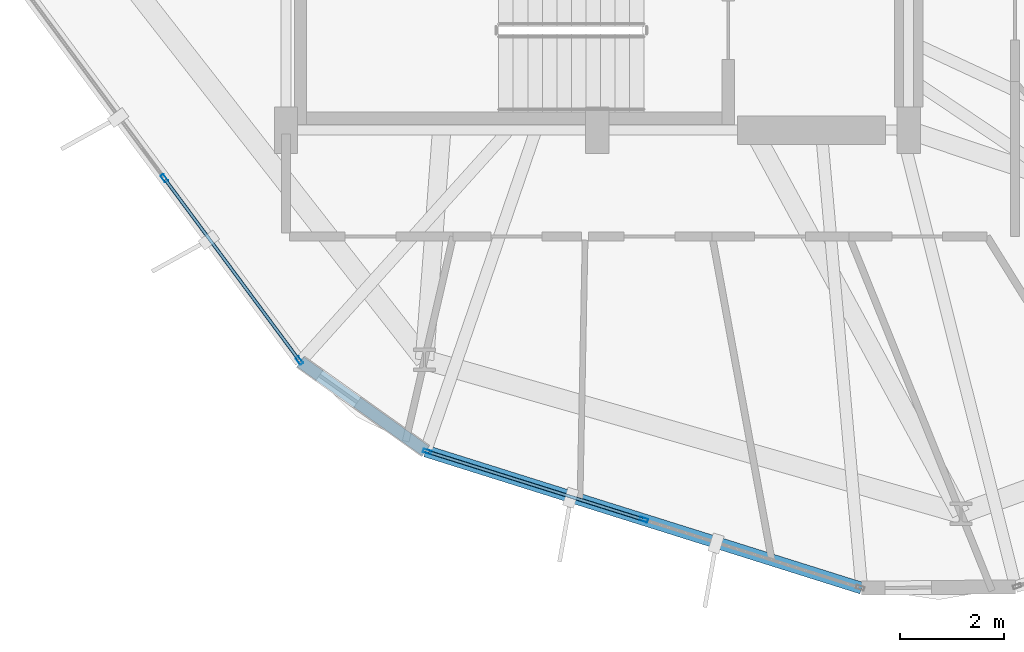
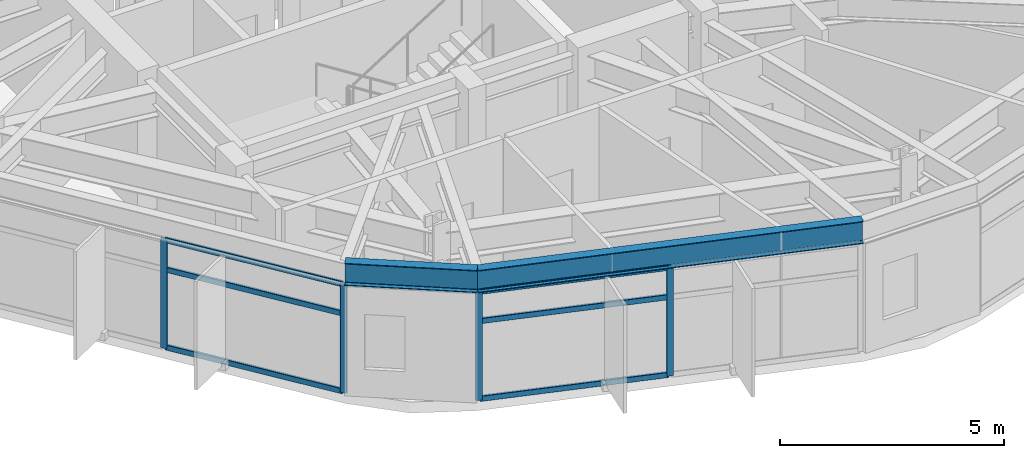
# One storey, part 2 of 27: 10 members, 2 beams, 2 elements without a shape of their own.
"""IFC4 building model written with IfcOpenShell, lengths in metres."""

import ifcopenshell
import ifcopenshell.guid

model = None  # the IFC model being written
_history = None  # IfcOwnerHistory: only IFC2X3 demands one
_inside = {}  # id of a spatial element -> (the spatial element, [elements in it])
_under = {}  # id of a project, library or spatial element -> (it, [spatial elements below it])
_declared = {}  # id of a project -> (the project, [libraries it declares])
_typed = {}  # id of a type object -> (the type object, [elements of that type])
_made_of = {}  # id of a material, layer set ... -> (it, [elements and type objects made of it])


def new_model(schema):
    """Start an empty IFC model of exactly this schema.

    Asked for "IFC4X3", IfcOpenShell would pick the latest addendum, in which some entities
    have other attributes; the version numbers below select the first issue.
    IFC2X3 requires an IfcOwnerHistory on every rooted entity: one is made here for all.
    """
    global model, _history
    if schema == "IFC4X3":
        model = ifcopenshell.file(schema_version=(4, 3, 0, 0))
    else:
        model = ifcopenshell.file(schema=schema)
    _inside.clear()
    _under.clear()
    _declared.clear()
    _typed.clear()
    _made_of.clear()
    _history = None
    if model.schema == "IFC2X3":
        org = make("IfcOrganization", Name="unknown")
        user = make(
            "IfcPersonAndOrganization",
            ThePerson=make("IfcPerson", FamilyName="unknown"),
            TheOrganization=org,
        )
        app = make(
            "IfcApplication",
            ApplicationDeveloper=org,
            Version="unknown",
            ApplicationFullName="unknown",
            ApplicationIdentifier="unknown",
        )
        _history = make(
            "IfcOwnerHistory",
            OwningUser=user,
            OwningApplication=app,
            ChangeAction="ADDED",
            CreationDate=0,
        )
    return model


def make(cls, **values):
    """One entity of the class cls with the attributes given. An attribute that is None is left unset."""
    return model.create_entity(
        cls, **{name: value for name, value in values.items() if value is not None}
    )


def rooted(cls, **values):
    """An entity with a GlobalId (a new one), such as an element, a storey or a relation."""
    return make(cls, GlobalId=ifcopenshell.guid.new(), OwnerHistory=_history, **values)


def si_unit(unit_type, name, prefix=None):
    """IfcSIUnit, for example si_unit("LENGTHUNIT", "METRE", prefix="MILLI")."""
    return make("IfcSIUnit", UnitType=unit_type, Prefix=prefix, Name=name)


def assignment(units):
    """IfcUnitAssignment: the units of a project."""
    return None if units is None else make("IfcUnitAssignment", Units=units)


def point(xyz):
    """IfcCartesianPoint."""
    return None if xyz is None else make("IfcCartesianPoint", Coordinates=xyz)


def direction(xyz):
    """IfcDirection."""
    return None if xyz is None else make("IfcDirection", DirectionRatios=xyz)


def frame(location, z_axis=None, x_axis=None):
    """IfcAxis2Placement3D, a coordinate frame: its origin and axes. An axis left out is left unset."""
    return make(
        "IfcAxis2Placement3D",
        Location=point(location),
        Axis=direction(z_axis),
        RefDirection=direction(x_axis),
    )


def frame_2d(location, x_axis=None):
    """IfcAxis2Placement2D, a coordinate frame in the plane: its origin and x axis."""
    return make(
        "IfcAxis2Placement2D", Location=point(location), RefDirection=direction(x_axis)
    )


def origin():
    """The frame at (0, 0, 0) with its axes left unset."""
    return frame((0.0, 0.0, 0.0))


def origin_2d():
    """The frame at (0, 0) in the plane with its x axis left unset."""
    return frame_2d((0.0, 0.0))


def place(relative_to, where):
    """IfcLocalPlacement: puts the frame where relative to a parent placement (None: the world)."""
    return make(
        "IfcLocalPlacement", PlacementRelTo=relative_to, RelativePlacement=where
    )


def context(
    kind, dimensions, precision=None, world=None, true_north=None, identifier=None
):
    """IfcGeometricRepresentationContext, for example the 3D "Model" context."""
    return make(
        "IfcGeometricRepresentationContext",
        ContextIdentifier=identifier,
        ContextType=kind,
        CoordinateSpaceDimension=dimensions,
        Precision=precision,
        WorldCoordinateSystem=world,
        TrueNorth=true_north,
    )


def subcontext(parent, identifier, kind, view, scale=None):
    """IfcGeometricRepresentationSubContext, for example "Body" below "Model"."""
    return make(
        "IfcGeometricRepresentationSubContext",
        ContextIdentifier=identifier,
        ContextType=kind,
        ParentContext=parent,
        TargetScale=scale,
        TargetView=view,
    )


def project(units=None, contexts=None):
    """IfcProject with its units and contexts."""
    return rooted(
        "IfcProject",
        Name="project",
        RepresentationContexts=contexts,
        UnitsInContext=assignment(units),
    )


def spatial(cls, under=None, at=None, **own):
    """A site, building, storey or space (cls), placed at a placement, below another one or the project."""
    s = rooted(cls, ObjectPlacement=at, **own)
    if under is not None:
        _under.setdefault(under.id(), (under, []))[1].append(s)
    return s


def profile(cls, at=None, kind="AREA", **sizes):
    """A parametric profile (cls). Its sizes go by their IFC names, for example OverallWidth=200.0."""
    return make(cls, ProfileType=kind, Position=at, **sizes)


def hollow_rectangle(**sizes):
    """IfcRectangleHollowProfileDef."""
    return profile("IfcRectangleHollowProfileDef", **sizes)


def i_section(**sizes):
    """IfcIShapeProfileDef."""
    return profile("IfcIShapeProfileDef", **sizes)


def extrude(swept, where, along, depth):
    """IfcExtrudedAreaSolid: the profile swept, set in the frame where, extruded along a direction by depth."""
    return make(
        "IfcExtrudedAreaSolid",
        SweptArea=swept,
        Position=where,
        ExtrudedDirection=direction(along),
        Depth=depth,
    )


def shape(context_of_items, identifier, shape_type, items):
    """IfcShapeRepresentation: the items that make up one representation, for example the "Body"."""
    return make(
        "IfcShapeRepresentation",
        ContextOfItems=context_of_items,
        RepresentationIdentifier=identifier,
        RepresentationType=shape_type,
        Items=items,
    )


def material(Name=None, Category=None):
    """IfcMaterial."""
    return make("IfcMaterial", Name=Name, Category=Category)


def layer(
    of_material, thickness, ventilated=None, Name=None, Category=None, Priority=None
):
    """IfcMaterialLayer: one layer of a wall or slab, of a material (None: an air gap)."""
    return make(
        "IfcMaterialLayer",
        Material=of_material,
        LayerThickness=thickness,
        IsVentilated=ventilated,
        Name=Name,
        Category=Category,
        Priority=Priority,
    )


def layer_set(layers, Name=None):
    """IfcMaterialLayerSet."""
    return make("IfcMaterialLayerSet", MaterialLayers=layers, LayerSetName=Name)


def material_profile(
    of_material, cross_section, Name=None, Category=None, Priority=None
):
    """IfcMaterialProfile: a cross section and its material."""
    return make(
        "IfcMaterialProfile",
        Name=Name,
        Material=of_material,
        Profile=cross_section,
        Priority=Priority,
        Category=Category,
    )


def profile_set(profiles, Name=None, composite=None):
    """IfcMaterialProfileSet."""
    return make(
        "IfcMaterialProfileSet",
        Name=Name,
        MaterialProfiles=profiles,
        CompositeProfile=composite,
    )


def made_of(thing, what):
    """Note that an element or type object is made of a material, layer set ...; save() writes the relation."""
    if what is not None:
        _made_of.setdefault(what.id(), (what, []))[1].append(thing)
    return thing


def type_object(cls, material=None, **own):
    """A type object (cls), such as IfcWallType, which elements share."""
    return made_of(rooted(cls, **own), material)


def element(
    cls,
    number,
    at=None,
    inside=None,
    cuts=None,
    type_object=None,
    material=None,
    context=None,
    identifier="Body",
    shape_type=None,
    held_by="IfcProductDefinitionShape",
    body=None,
    shapes=None,
    **own,
):
    """One element of the class cls, such as IfcWall. Its Tag is "e" and its number.

    at: its placement. inside: the storey or other place that contains it. cuts: it is an
    opening in that element (IfcRelVoidsElement). A single representation is given by context,
    identifier, shape_type and body (its items); several are given by shapes. held_by: the class
    of the entity that holds the representations. save() writes the other relations.
    """
    e = rooted(cls, Tag="e%d" % number, ObjectPlacement=at, **own)
    if body is not None:
        shapes = [shape(context, identifier, shape_type, body)]
    if shapes is not None:
        e.Representation = make(held_by, Representations=shapes)
    if inside is not None:
        _inside.setdefault(inside.id(), (inside, []))[1].append(e)
    if cuts is not None:
        rooted(
            "IfcRelVoidsElement", RelatingBuildingElement=cuts, RelatedOpeningElement=e
        )
    if type_object is not None:
        _typed.setdefault(type_object.id(), (type_object, []))[1].append(e)
    return made_of(e, material)


def aggregate(whole, parts):
    """IfcRelAggregates: a whole, such as a stair, and the parts it consists of."""
    return rooted("IfcRelAggregates", RelatingObject=whole, RelatedObjects=parts)


def save(model, path):
    """Write the relations noted so far, then the file.

    IfcRelAggregates (storeys below a building ...), IfcRelContainedInSpatialStructure (elements
    in a storey), IfcRelDefinesByType, IfcRelAssociatesMaterial and IfcRelDeclares: one each for
    every whole, place, type object, material and project.
    """
    for whole, parts in _under.values():
        aggregate(whole, parts)
    for where, things in _inside.values():
        rooted(
            "IfcRelContainedInSpatialStructure",
            RelatedElements=things,
            RelatingStructure=where,
        )
    for kind, things in _typed.values():
        rooted("IfcRelDefinesByType", RelatedObjects=things, RelatingType=kind)
    for what, things in _made_of.values():
        rooted("IfcRelAssociatesMaterial", RelatedObjects=things, RelatingMaterial=what)
    for by, libraries in _declared.values():
        rooted("IfcRelDeclares", RelatingContext=by, RelatedDefinitions=libraries)
    model.write(path)


model = new_model("IFC4")

# Units and contexts
model_context = context("Model", 3, precision=1e-05, world=origin(), true_north=direction((0.0, 1.0)))
body_context = subcontext(model_context, "Body", "Model", "MODEL_VIEW")
ifc_project = project(units=[si_unit("LENGTHUNIT", "METRE"), si_unit("AREAUNIT", "SQUARE_METRE"), si_unit("VOLUMEUNIT", "CUBIC_METRE"), si_unit("PLANEANGLEUNIT", "RADIAN"), si_unit("MASSUNIT", "GRAM", prefix="KILO")], contexts=[model_context])

# Site, building, storey
site_placement = place(None, origin())
site = spatial("IfcSite", under=ifc_project, at=site_placement, CompositionType="ELEMENT")
building_placement = place(site_placement, origin())
building = spatial("IfcBuilding", under=site, at=building_placement, Name="Soratama Intermodal Tower", CompositionType="ELEMENT")
storey_placement = place(building_placement, frame((0.0, 0.0, 103.0)))
storey = spatial("IfcBuildingStorey", under=building, at=storey_placement, Name="L24", CompositionType="ELEMENT", Elevation=103.0)

# Beams
ifc_material_1 = material(Name="Structural steel ASTM A992 Grade 50", Category="steel")
ifc_material_profile_1 = material_profile(ifc_material_1, i_section(OverallWidth=0.22900390625, OverallDepth=0.612060546875, WebThickness=0.011962890625, FlangeThickness=0.01953125, FilletRadius=0.012939453125, at=origin_2d()), Name="W24X84")
ifc_profile_set_1 = profile_set([ifc_material_profile_1], Name="Structural steel ASTM A992 Grade 50")
beam_type = type_object("IfcBeamType", Name="BM-SPN-W24X84", PredefinedType="SPANDREL", material=ifc_profile_set_1)
beam_1_placement = place(storey_placement, frame((32.876953125, 10.535888671875, 3.2939453125), z_axis=(0.814494653596, -0.580171060347, 0.0), x_axis=(0.580171060347, 0.814494653596, 0.0)))
element("IfcBeam", 1, at=beam_1_placement, inside=storey, type_object=beam_type, Name="BS-L24-CRN06", PredefinedType="SPANDREL", context=body_context, shape_type="SweptSolid", body=[
    extrude(i_section(OverallWidth=0.22900390625, OverallDepth=0.612060546875, WebThickness=0.011962890625, FlangeThickness=0.01953125, FilletRadius=0.012939453125, at=origin_2d()), origin(), (0.0, 0.0, 1.0), 2.96630859375),
])
beam_2_placement = place(storey_placement, frame((35.29296875, 8.81494140625, 3.2939453125), z_axis=(0.953945221646, -0.299980856221, 0.0), x_axis=(0.299980856221, 0.953945221646, 0.0)))
element("IfcBeam", 2, at=beam_2_placement, inside=storey, type_object=beam_type, Name="BS-L24-F07", PredefinedType="SPANDREL", context=body_context, shape_type="SweptSolid", body=[
    extrude(i_section(OverallWidth=0.22900390625, OverallDepth=0.612060546875, WebThickness=0.011962890625, FlangeThickness=0.01953125, FilletRadius=0.012939453125, at=origin_2d()), origin(), (0.0, 0.0, 1.0), 8.806640625),
])

# Curtain wall, members
ifc_material_2 = material(Name="Double-glazed aluminium curtain wall", Category="aluminium")
ifc_layer = layer(ifc_material_2, 0.159912109375)
ifc_layer_set = layer_set([ifc_layer], Name="Double-glazed aluminium curtain wall")
curtain_wall_type = type_object("IfcCurtainWallType", Name="CW-SYS-3", PredefinedType="NOTDEFINED", material=ifc_layer_set)
curtain_wall_1_placement = place(storey_placement, origin())
curtain_wall_1 = element("IfcCurtainWall", 3, at=curtain_wall_1_placement, inside=storey, type_object=curtain_wall_type, Name="L24 Faceted Curtain Wall F06", PredefinedType="NOTDEFINED")
ifc_material_3 = material(Name="Anodised aluminium AA 6063-T6", Category="aluminium")
ifc_material_profile_2 = material_profile(ifc_material_3, hollow_rectangle(XDim=0.070068359375, YDim=0.159912109375, WallThickness=0.0048828125, InnerFilletRadius=0.0048828125, OuterFilletRadius=0.010009765625, at=origin_2d()), Name="CWM160X70X5")
ifc_profile_set_2 = profile_set([ifc_material_profile_2], Name="Anodised aluminium AA 6063-T6")
member_type_1 = type_object("IfcMemberType", Name="MT-CWM-3", PredefinedType="MULLION", material=ifc_profile_set_2)
member_1_placement = place(storey_placement, frame((30.25537109375, 14.073486328125, 0.0), z_axis=(0.0, 0.0, 1.0), x_axis=(0.803442319761, 0.595382598685, 0.0)))
member_1 = element("IfcMember", 4, at=member_1_placement, type_object=member_type_1, Name="CW-3 mullion 2", PredefinedType="MULLION", context=body_context, shape_type="SweptSolid", body=[
    extrude(hollow_rectangle(XDim=0.070068359375, YDim=0.159912109375, WallThickness=0.0048828125, InnerFilletRadius=0.0048828125, OuterFilletRadius=0.010009765625, at=origin_2d()), origin(), (0.0, 0.0, 1.0), 2.97900390625),
])
member_2_placement = place(storey_placement, frame((32.859130859375, 10.559814453125, 0.0), z_axis=(0.0, 0.0, 1.0), x_axis=(0.803442319761, 0.595382598685, 0.0)))
member_2 = element("IfcMember", 5, at=member_2_placement, type_object=member_type_1, Name="CW-3 mullion 3", PredefinedType="MULLION", context=body_context, shape_type="SweptSolid", body=[
    extrude(hollow_rectangle(XDim=0.070068359375, YDim=0.159912109375, WallThickness=0.0048828125, InnerFilletRadius=0.0048828125, OuterFilletRadius=0.010009765625, at=origin_2d()), origin(), (0.0, 0.0, 1.0), 2.97900390625),
])

curtain_wall_2_placement = place(storey_placement, origin())
curtain_wall_2 = element("IfcCurtainWall", 6, at=curtain_wall_2_placement, inside=storey, type_object=curtain_wall_type, Name="L24 Faceted Curtain Wall F07", PredefinedType="NOTDEFINED")
member_3_placement = place(storey_placement, frame((35.322021484375, 8.805908203125, 0.0), z_axis=(0.0, 0.0, 1.0), x_axis=(0.300038297083, 0.953927156697, 0.0)))
member_3 = element("IfcMember", 7, at=member_3_placement, type_object=member_type_1, Name="CW-3 mullion 1", PredefinedType="MULLION", context=body_context, shape_type="SweptSolid", body=[
    extrude(hollow_rectangle(XDim=0.070068359375, YDim=0.159912109375, WallThickness=0.0048828125, InnerFilletRadius=0.0048828125, OuterFilletRadius=0.010009765625, at=origin_2d()), origin(), (0.0, 0.0, 1.0), 2.97900390625),
])
member_4_placement = place(storey_placement, frame((39.49365234375, 7.49365234375, 0.0), z_axis=(0.0, 0.0, 1.0), x_axis=(0.300038297083, 0.953927156697, 0.0)))
member_4 = element("IfcMember", 8, at=member_4_placement, type_object=member_type_1, Name="CW-3 mullion 2", PredefinedType="MULLION", context=body_context, shape_type="SweptSolid", body=[
    extrude(hollow_rectangle(XDim=0.070068359375, YDim=0.159912109375, WallThickness=0.0048828125, InnerFilletRadius=0.0048828125, OuterFilletRadius=0.010009765625, at=origin_2d()), origin(), (0.0, 0.0, 1.0), 2.97900390625),
])

# Member
ifc_material_4 = material(Name="Anodised aluminium AA 6063-T6", Category="aluminium")
ifc_material_profile_3 = material_profile(ifc_material_4, hollow_rectangle(XDim=0.06494140625, YDim=0.14990234375, WallThickness=0.0048828125, InnerFilletRadius=0.0048828125, OuterFilletRadius=0.010009765625, at=origin_2d()), Name="CWT150X65X5")
ifc_profile_set_3 = profile_set([ifc_material_profile_3], Name="Anodised aluminium AA 6063-T6")
member_type_2 = type_object("IfcMemberType", Name="TT-CWT-1", PredefinedType="USERDEFINED", material=ifc_profile_set_3)
member_5_placement = place(storey_placement, frame((30.273193359375, 14.049560546875, 0.030029296875), z_axis=(0.59538049651, -0.803443877552, 0.0), x_axis=(0.803443877552, 0.59538049651, 0.0)))
member_5 = element("IfcMember", 9, at=member_5_placement, type_object=member_type_2, Name="CW-3 transom 2.1", ObjectType="TRANSOM", PredefinedType="USERDEFINED", context=body_context, shape_type="SweptSolid", body=[
    extrude(hollow_rectangle(XDim=0.06494140625, YDim=0.14990234375, WallThickness=0.0048828125, InnerFilletRadius=0.0048828125, OuterFilletRadius=0.010009765625, at=origin_2d()), origin(), (0.0, 0.0, 1.0), 4.3134765625),
])

member_6_placement = place(storey_placement, frame((30.273193359375, 14.049560546875, 2.14990234375), z_axis=(0.59538049651, -0.803443877552, 0.0), x_axis=(0.803443877552, 0.59538049651, 0.0)))
member_6 = element("IfcMember", 10, at=member_6_placement, type_object=member_type_2, Name="CW-3 transom 2.2", ObjectType="TRANSOM", PredefinedType="USERDEFINED", context=body_context, shape_type="SweptSolid", body=[
    extrude(hollow_rectangle(XDim=0.06494140625, YDim=0.14990234375, WallThickness=0.0048828125, InnerFilletRadius=0.0048828125, OuterFilletRadius=0.010009765625, at=origin_2d()), origin(), (0.0, 0.0, 1.0), 4.3134765625),
])

member_7_placement = place(storey_placement, frame((30.273193359375, 14.049560546875, 2.948974609375), z_axis=(0.59538049651, -0.803443877552, 0.0), x_axis=(0.803443877552, 0.59538049651, 0.0)))
member_7 = element("IfcMember", 11, at=member_7_placement, type_object=member_type_2, Name="CW-3 transom 2.3", ObjectType="TRANSOM", PredefinedType="USERDEFINED", context=body_context, shape_type="SweptSolid", body=[
    extrude(hollow_rectangle(XDim=0.06494140625, YDim=0.14990234375, WallThickness=0.0048828125, InnerFilletRadius=0.0048828125, OuterFilletRadius=0.010009765625, at=origin_2d()), origin(), (0.0, 0.0, 1.0), 4.3134765625),
])

aggregate(curtain_wall_1, [member_1, member_2, member_5, member_6, member_7])

member_8_placement = place(storey_placement, frame((35.3505859375, 8.796875, 0.030029296875), z_axis=(0.953923378988, -0.300050307483, 0.0), x_axis=(0.300050307483, 0.953923378988, 0.0)))
member_8 = element("IfcMember", 12, at=member_8_placement, type_object=member_type_2, Name="CW-3 transom 1.1", ObjectType="TRANSOM", PredefinedType="USERDEFINED", context=body_context, shape_type="SweptSolid", body=[
    extrude(hollow_rectangle(XDim=0.06494140625, YDim=0.14990234375, WallThickness=0.0048828125, InnerFilletRadius=0.0048828125, OuterFilletRadius=0.010009765625, at=origin_2d()), origin(), (0.0, 0.0, 1.0), 4.313232421875),
])

member_9_placement = place(storey_placement, frame((35.3505859375, 8.796875, 2.14990234375), z_axis=(0.953923378988, -0.300050307483, 0.0), x_axis=(0.300050307483, 0.953923378988, 0.0)))
member_9 = element("IfcMember", 13, at=member_9_placement, type_object=member_type_2, Name="CW-3 transom 1.2", ObjectType="TRANSOM", PredefinedType="USERDEFINED", context=body_context, shape_type="SweptSolid", body=[
    extrude(hollow_rectangle(XDim=0.06494140625, YDim=0.14990234375, WallThickness=0.0048828125, InnerFilletRadius=0.0048828125, OuterFilletRadius=0.010009765625, at=origin_2d()), origin(), (0.0, 0.0, 1.0), 4.313232421875),
])

member_10_placement = place(storey_placement, frame((35.3505859375, 8.796875, 2.948974609375), z_axis=(0.953923378988, -0.300050307483, 0.0), x_axis=(0.300050307483, 0.953923378988, 0.0)))
member_10 = element("IfcMember", 14, at=member_10_placement, type_object=member_type_2, Name="CW-3 transom 1.3", ObjectType="TRANSOM", PredefinedType="USERDEFINED", context=body_context, shape_type="SweptSolid", body=[
    extrude(hollow_rectangle(XDim=0.06494140625, YDim=0.14990234375, WallThickness=0.0048828125, InnerFilletRadius=0.0048828125, OuterFilletRadius=0.010009765625, at=origin_2d()), origin(), (0.0, 0.0, 1.0), 4.313232421875),
])

aggregate(curtain_wall_2, [member_3, member_4, member_8, member_9, member_10])

save(model, "model.ifc")
